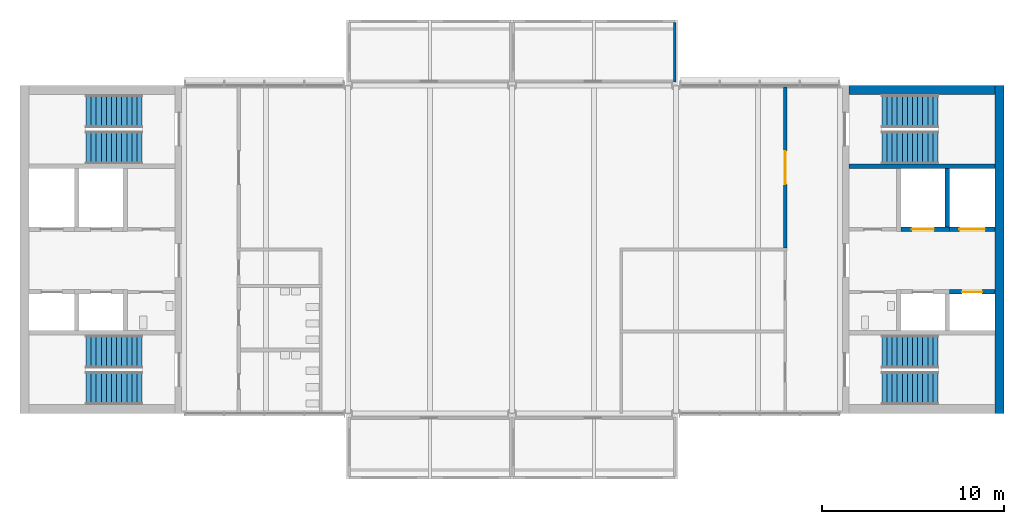
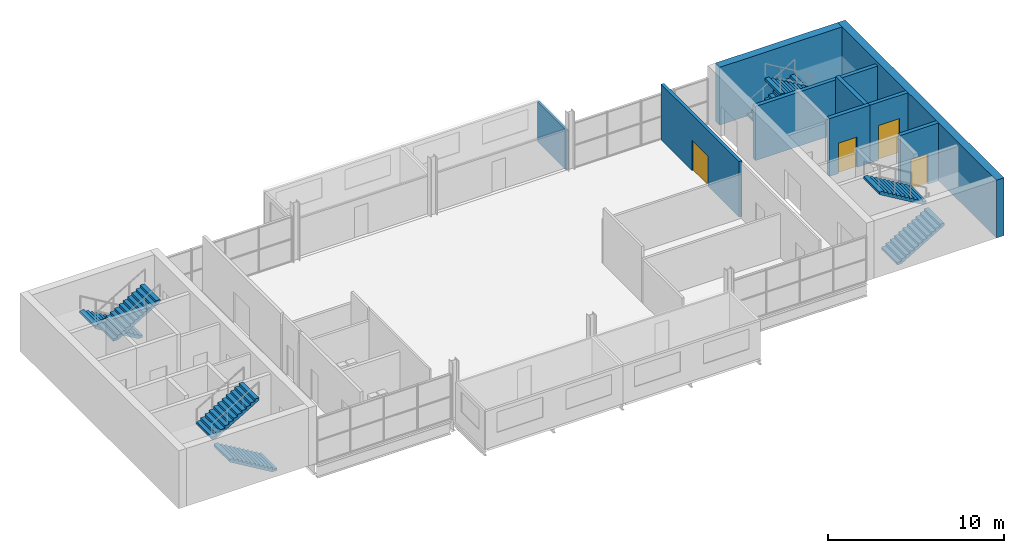
# One storey, part 7 of 10: 9 walls, 8 stair flights, 4 doors, 4 openings, 4 elements without a shape of their own.
"""IFC4 building model written with IfcOpenShell, lengths in metres."""

from ifc_helpers import new_model, si_unit, direction, frame, frame_2d, origin, place, context, subcontext, project, spatial, polyline, rectangle, outline, extrude, material, layer, layer_set, type_object, element, fill, aggregate, save


model = new_model("IFC4")

# Units and contexts
model_context = context("Model", 3, precision=1e-05, world=origin(), true_north=direction((0.0, 1.0)))
body_context = subcontext(model_context, "Body", "Model", "MODEL_VIEW")
ifc_project = project(units=[si_unit("LENGTHUNIT", "METRE"), si_unit("AREAUNIT", "SQUARE_METRE"), si_unit("VOLUMEUNIT", "CUBIC_METRE"), si_unit("PLANEANGLEUNIT", "RADIAN"), si_unit("MASSUNIT", "GRAM", prefix="KILO")], contexts=[model_context])

# Site, building, storey
site_placement = place(None, origin())
site = spatial("IfcSite", under=ifc_project, at=site_placement, CompositionType="ELEMENT")
building_placement = place(site_placement, origin())
building = spatial("IfcBuilding", under=site, at=building_placement, Name="Corbel Yard City Hall", CompositionType="ELEMENT")
storey_placement = place(building_placement, frame((0.0, 0.0, 27.199951171875)))
storey = spatial("IfcBuildingStorey", under=building, at=storey_placement, Name="L06", CompositionType="ELEMENT", Elevation=27.199951171875)

# Wall
ifc_material_1 = material(Name="Concrete N40 (40 MPa)", Category="concrete")
ifc_layer_1 = layer(ifc_material_1, 0.25)
ifc_layer_set_1 = layer_set([ifc_layer_1], Name="Concrete N40 (40 MPa)")
wall_type_1 = type_object("IfcWallType", Name="IW2", PredefinedType="SOLIDWALL", material=ifc_layer_set_1)
wall_1_placement = place(storey_placement, frame((45.5, 112.574951171875, 0.0), z_axis=(0.0, 0.0, 1.0), x_axis=(1.0, 0.0, 0.0)))
element("IfcWall", 1, at=wall_1_placement, inside=storey, type_object=wall_type_1, Name="Stair enclosure wall", PredefinedType="SOLIDWALL", context=body_context, shape_type="SweptSolid", body=[
    extrude(rectangle(XDim=8.0, YDim=0.25, at=frame_2d((4.0, 0.0))), origin(), (0.0, 0.0, 1.0), 3.75),
])

# Wall, opening, door
wall_2_placement = place(storey_placement, frame((51.0, 105.675048828125, 0.0), z_axis=(0.0, 0.0, 1.0), x_axis=(1.0, 0.0, 0.0)))
wall_2 = element("IfcWall", 2, at=wall_2_placement, inside=storey, type_object=wall_type_1, Name="Lift LP26 shaft wall", PredefinedType="SOLIDWALL", context=body_context, shape_type="SweptSolid", body=[
    extrude(rectangle(XDim=2.5, YDim=0.25, at=frame_2d((1.25, 0.0))), origin(), (0.0, 0.0, 1.0), 4.0),
])
opening_1_placement = place(wall_2_placement, frame((0.699951171875, 0.0, 0.0)))
opening_1 = element("IfcOpeningElement", 3, at=opening_1_placement, cuts=wall_2, Name="Opening T1-010", PredefinedType="OPENING", context=body_context, shape_type="SweptSolid", body=[
    extrude(rectangle(XDim=1.10009765625, YDim=2.10009765625, at=frame_2d((0.550048828125, 1.050048828125))), frame((0.0, 0.135009765625, 0.0), z_axis=(0.0, -1.0, 0.0), x_axis=(1.0, 0.0, 0.0)), (0.0, 0.0, 1.0), 0.27001953125),
])
ifc_material_2 = material(Name="Stainless steel Grade 316", Category="steel")
door_type_1 = type_object("IfcDoorType", Name="LD1", OperationType="DOUBLE_DOOR_SLIDING", PredefinedType="DOOR", material=ifc_material_2)
door_1_placement = place(opening_1_placement, origin())
door_1 = element("IfcDoor", 4, at=door_1_placement, inside=storey, type_object=door_type_1, Name="Lift LP26 landing door", OperationType="DOUBLE_DOOR_SLIDING", OverallHeight=2.10009765625, OverallWidth=1.10009765625, PredefinedType="DOOR", context=body_context, shape_type="SweptSolid", body=[
    extrude(rectangle(XDim=1.10009765625, YDim=2.10009765625, at=frame_2d((0.550048828125, 1.050048828125))), frame((0.0, 0.02490234375, 0.0), z_axis=(0.0, -1.0, 0.0), x_axis=(1.0, 0.0, 0.0)), (0.0, 0.0, 1.0), 0.050048828125),
])
fill(opening_1, door_1)

# Wall
wall_3_placement = place(storey_placement, frame((50.875, 109.25, 0.0), z_axis=(0.0, 0.0, 1.0), x_axis=(0.0, 1.0, 0.0)))
element("IfcWall", 5, at=wall_3_placement, inside=storey, type_object=wall_type_1, Name="Lift LF2 shaft wall", PredefinedType="SOLIDWALL", context=body_context, shape_type="SweptSolid", body=[
    extrude(rectangle(XDim=3.199951171875, YDim=0.25, at=frame_2d((1.60009765625, 0.0))), origin(), (0.0, 0.0, 1.0), 4.0),
])

# Wall, opening, door
wall_4_placement = place(storey_placement, frame((48.35009765625, 109.125, 0.0), z_axis=(0.0, 0.0, 1.0), x_axis=(1.0, 0.0, 0.0)))
wall_4 = element("IfcWall", 6, at=wall_4_placement, inside=storey, type_object=wall_type_1, Name="Lift LF2 shaft wall", PredefinedType="SOLIDWALL", context=body_context, shape_type="SweptSolid", body=[
    extrude(rectangle(XDim=2.64990234375, YDim=0.25, at=frame_2d((1.324951171875, 0.0))), origin(), (0.0, 0.0, 1.0), 4.0),
])
opening_2_placement = place(wall_4_placement, frame((0.60009765625, 0.0, 0.0)))
opening_2 = element("IfcOpeningElement", 7, at=opening_2_placement, cuts=wall_4, Name="Opening T1-011", PredefinedType="OPENING", context=body_context, shape_type="SweptSolid", body=[
    extrude(rectangle(XDim=1.199951171875, YDim=2.10009765625, at=frame_2d((0.60009765625, 1.050048828125))), frame((0.0, 0.135009765625, 0.0), z_axis=(0.0, -1.0, 0.0), x_axis=(1.0, 0.0, 0.0)), (0.0, 0.0, 1.0), 0.27001953125),
])
door_type_2 = type_object("IfcDoorType", Name="LD2", OperationType="DOUBLE_DOOR_SLIDING", PredefinedType="DOOR", material=ifc_material_2)
door_2_placement = place(opening_2_placement, origin())
door_2 = element("IfcDoor", 8, at=door_2_placement, inside=storey, type_object=door_type_2, Name="Lift LF2 landing door", OperationType="DOUBLE_DOOR_SLIDING", OverallHeight=2.10009765625, OverallWidth=1.199951171875, PredefinedType="DOOR", context=body_context, shape_type="SweptSolid", body=[
    extrude(rectangle(XDim=1.199951171875, YDim=2.10009765625, at=frame_2d((0.60009765625, 1.050048828125))), frame((0.0, 0.02490234375, 0.0), z_axis=(0.0, -1.0, 0.0), x_axis=(1.0, 0.0, 0.0)), (0.0, 0.0, 1.0), 0.050048828125),
])
fill(opening_2, door_2)

wall_5_placement = place(storey_placement, frame((51.0, 109.125, 0.0), z_axis=(0.0, 0.0, 1.0), x_axis=(1.0, 0.0, 0.0)))
wall_5 = element("IfcWall", 9, at=wall_5_placement, inside=storey, type_object=wall_type_1, Name="Lift LG1 shaft wall", PredefinedType="SOLIDWALL", context=body_context, shape_type="SweptSolid", body=[
    extrude(rectangle(XDim=2.5, YDim=0.25, at=frame_2d((1.25, 0.0))), origin(), (0.0, 0.0, 1.0), 4.0),
])
opening_3_placement = place(wall_5_placement, frame((0.550048828125, 0.0, 0.0)))
opening_3 = element("IfcOpeningElement", 10, at=opening_3_placement, cuts=wall_5, Name="Opening T1-012", PredefinedType="OPENING", context=body_context, shape_type="SweptSolid", body=[
    extrude(rectangle(XDim=1.39990234375, YDim=2.39990234375, at=frame_2d((0.699951171875, 1.199951171875))), frame((0.0, 0.135009765625, 0.0), z_axis=(0.0, -1.0, 0.0), x_axis=(1.0, 0.0, 0.0)), (0.0, 0.0, 1.0), 0.27001953125),
])
door_type_3 = type_object("IfcDoorType", Name="LD3", OperationType="DOUBLE_DOOR_SLIDING", PredefinedType="DOOR", material=ifc_material_2)
door_3_placement = place(opening_3_placement, origin())
door_3 = element("IfcDoor", 11, at=door_3_placement, inside=storey, type_object=door_type_3, Name="Lift LG1 landing door", OperationType="DOUBLE_DOOR_SLIDING", OverallHeight=2.39990234375, OverallWidth=1.39990234375, PredefinedType="DOOR", context=body_context, shape_type="SweptSolid", body=[
    extrude(rectangle(XDim=1.39990234375, YDim=2.39990234375, at=frame_2d((0.699951171875, 1.199951171875))), frame((0.0, 0.02490234375, 0.0), z_axis=(0.0, -1.0, 0.0), x_axis=(1.0, 0.0, 0.0)), (0.0, 0.0, 1.0), 0.050048828125),
])
fill(opening_3, door_3)

# Wall
ifc_material_3 = material(Name="Anodised aluminium", Category="aluminium")
ifc_layer_2 = layer(ifc_material_3, 0.02392578125)
ifc_material_4 = material(Name="Steel Grade G550 (550 MPa yield)", Category="steel")
ifc_layer_3 = layer(ifc_material_4, 0.10009765625)
ifc_material_5 = material(Name="Gypsum plasterboard", Category="gypsum")
ifc_layer_4 = layer(ifc_material_5, 0.02587890625)
ifc_layer_set_2 = layer_set([ifc_layer_2, ifc_layer_3, ifc_layer_4], Name="Steel Grade G550 (550 MPa yield)")
wall_type_2 = type_object("IfcWallType", Name="PD3", PredefinedType="SOLIDWALL", material=ifc_layer_set_2)
wall_6_placement = place(storey_placement, frame((35.925048828125, 120.449951171875, -0.14990234375), z_axis=(0.0, 0.0, 1.0), x_axis=(0.0, -1.0, 0.0)))
element("IfcWall", 12, at=wall_6_placement, inside=storey, type_object=wall_type_2, Name="Pod side wall L06", PredefinedType="SOLIDWALL", context=body_context, shape_type="SweptSolid", body=[
    extrude(rectangle(XDim=3.25, YDim=0.14990234375, at=frame_2d((1.625, 0.0))), origin(), (0.0, 0.0, 1.0), 2.75),
])

# Wall, opening, door
ifc_layer_5 = layer(ifc_material_5, 0.031982421875)
ifc_layer_6 = layer(ifc_material_4, 0.135986328125)
ifc_layer_7 = layer(ifc_material_5, 0.031982421875)
ifc_layer_set_3 = layer_set([ifc_layer_5, ifc_layer_6, ifc_layer_7], Name="Steel Grade G550 (550 MPa yield)")
wall_type_3 = type_object("IfcWallType", Name="PT2", PredefinedType="PARTITIONING", material=ifc_layer_set_3)
wall_7_placement = place(storey_placement, frame((42.0, 108.074951171875, 0.0), z_axis=(0.0, 0.0, 1.0), x_axis=(0.0, 1.0, 0.0)))
wall_7 = element("IfcWall", 13, at=wall_7_placement, inside=storey, type_object=wall_type_3, Name="Acoustic wall", PredefinedType="PARTITIONING", context=body_context, shape_type="SweptSolid", body=[
    extrude(rectangle(XDim=8.8349609375, YDim=0.199951171875, at=frame_2d((4.41748046875, 0.0))), origin(), (0.0, 0.0, 1.0), 3.85009765625),
])
opening_4_placement = place(wall_7_placement, frame((3.52490234375, 0.0, 0.0)))
opening_4 = element("IfcOpeningElement", 14, at=opening_4_placement, cuts=wall_7, Name="Opening T1-017", PredefinedType="OPENING", context=body_context, shape_type="SweptSolid", body=[
    extrude(rectangle(XDim=1.800048828125, YDim=2.10009765625, at=frame_2d((0.89990234375, 1.050048828125))), frame((0.0, 0.10986328125, 0.0), z_axis=(0.0, -1.0, 0.0), x_axis=(1.0, 0.0, 0.0)), (0.0, 0.0, 1.0), 0.219970703125),
])
ifc_material_6 = material(Name="Timber", Category="wood")
door_type_4 = type_object("IfcDoorType", Name="D3", OperationType="DOUBLE_DOOR_SINGLE_SWING", PredefinedType="DOOR", material=ifc_material_6)
door_4_placement = place(opening_4_placement, origin())
door_4 = element("IfcDoor", 15, at=door_4_placement, inside=storey, type_object=door_type_4, Name="Door Open Office 0606", OperationType="DOUBLE_DOOR_SINGLE_SWING", OverallHeight=2.10009765625, OverallWidth=1.800048828125, PredefinedType="DOOR", context=body_context, shape_type="SweptSolid", body=[
    extrude(rectangle(XDim=1.800048828125, YDim=2.10009765625, at=frame_2d((0.89990234375, 1.050048828125))), frame((0.0, 0.02490234375, 0.0), z_axis=(0.0, -1.0, 0.0), x_axis=(1.0, 0.0, 0.0)), (0.0, 0.0, 1.0), 0.050048828125),
])
fill(opening_4, door_4)

# Walls
ifc_material_7 = material(Name="Concrete N50 (50 MPa)", Category="concrete")
ifc_layer_8 = layer(ifc_material_7, 0.5)
ifc_layer_set_4 = layer_set([ifc_layer_8], Name="Concrete N50 (50 MPa)")
wall_type_4 = type_object("IfcWallType", Name="Trunk wall 500", PredefinedType="SHEAR", material=ifc_layer_set_4)
wall_8_placement = place(storey_placement, frame((53.75, 99.0, 0.0), z_axis=(0.0, 0.0, 1.0), x_axis=(0.0, 1.0, 0.0)))
element("IfcWall", 16, at=wall_8_placement, inside=storey, type_object=wall_type_4, Name="Trunk E east wall", PredefinedType="SHEAR", context=body_context, shape_type="SweptSolid", body=[
    extrude(rectangle(XDim=18.0, YDim=0.5, at=frame_2d((9.0, 0.0))), origin(), (0.0, 0.0, 1.0), 4.0),
])
wall_9_placement = place(storey_placement, frame((45.5, 116.75, 0.0), z_axis=(0.0, 0.0, 1.0), x_axis=(1.0, 0.0, 0.0)))
element("IfcWall", 17, at=wall_9_placement, inside=storey, type_object=wall_type_4, Name="Trunk E north wall", PredefinedType="SHEAR", context=body_context, shape_type="SweptSolid", body=[
    extrude(rectangle(XDim=8.0, YDim=0.5, at=frame_2d((4.0, 0.0))), origin(), (0.0, 0.0, 1.0), 4.0),
])

# Stair, stair flights
stair_type = type_object("IfcStairType", Name="ST4", PredefinedType="HALF_TURN_STAIR", material=ifc_material_1)
stair_1_placement = place(storey_placement, origin())
stair_1 = element("IfcStair", 18, at=stair_1_placement, inside=storey, type_object=stair_type, Name="Exit stair ST-W1 L06", PredefinedType="HALF_TURN_STAIR")
stair_flight_type = type_object("IfcStairFlightType", Name="FL4", PredefinedType="STRAIGHT", material=ifc_material_1)
stair_flight_1_placement = place(storey_placement, frame((6.699951171875, 100.39990234375, 0.0), z_axis=(0.0, 0.0, 1.0), x_axis=(-1.0, 0.0, 0.0)))
stair_flight_1 = element("IfcStairFlight", 19, at=stair_flight_1_placement, type_object=stair_flight_type, Name="ST-W1 flight 1", NumberOfRisers=12, NumberOfTreads=11, PredefinedType="STRAIGHT", RiserHeight=0.166667, TreadLength=0.28, context=body_context, shape_type="SweptSolid", body=[
    extrude(outline(polyline([(0.0, 0.0), (0.0, 0.166748046875), (0.280029296875, 0.166748046875), (0.280029296875, 0.333251953125), (0.56005859375, 0.333251953125), (0.56005859375, 0.5), (0.840087890625, 0.5), (0.840087890625, 0.666748046875), (1.1201171875, 0.666748046875), (1.1201171875, 0.833251953125), (1.39990234375, 0.833251953125), (1.39990234375, 1.0), (1.679931640625, 1.0), (1.679931640625, 1.166748046875), (1.9599609375, 1.166748046875), (1.9599609375, 1.333251953125), (2.239990234375, 1.333251953125), (2.239990234375, 1.5), (2.52001953125, 1.5), (2.52001953125, 1.666748046875), (2.800048828125, 1.666748046875), (2.800048828125, 1.833251953125), (3.080078125, 1.833251953125), (3.080078125, 2.0), (3.080078125, 1.658935546875), (0.29296875, 0.0), (0.0, 0.0)])), frame((0.0, 0.89990234375, 0.0), z_axis=(0.0, -1.0, 0.0), x_axis=(1.0, 0.0, 0.0)), (0.0, 0.0, 1.0), 1.800048828125),
])
stair_flight_2_placement = place(storey_placement, frame((3.6201171875, 102.39990234375, 2.0), z_axis=(0.0, 0.0, 1.0), x_axis=(1.0, 0.0, 0.0)))
stair_flight_2 = element("IfcStairFlight", 20, at=stair_flight_2_placement, type_object=stair_flight_type, Name="ST-W1 flight 2", NumberOfRisers=12, NumberOfTreads=11, PredefinedType="STRAIGHT", RiserHeight=0.166667, TreadLength=0.28, context=body_context, shape_type="SweptSolid", body=[
    extrude(outline(polyline([(0.0, 0.0), (0.0, 0.166748046875), (0.280029296875, 0.166748046875), (0.280029296875, 0.333251953125), (0.56005859375, 0.333251953125), (0.56005859375, 0.5), (0.840087890625, 0.5), (0.840087890625, 0.666748046875), (1.1201171875, 0.666748046875), (1.1201171875, 0.833251953125), (1.39990234375, 0.833251953125), (1.39990234375, 1.0), (1.679931640625, 1.0), (1.679931640625, 1.166748046875), (1.9599609375, 1.166748046875), (1.9599609375, 1.333251953125), (2.239990234375, 1.333251953125), (2.239990234375, 1.5), (2.52001953125, 1.5), (2.52001953125, 1.666748046875), (2.800048828125, 1.666748046875), (2.800048828125, 1.833251953125), (3.080078125, 1.833251953125), (3.080078125, 2.0), (3.080078125, 1.658935546875), (0.29296875, 0.0), (0.0, 0.0)])), frame((0.0, 0.89990234375, 0.0), z_axis=(0.0, -1.0, 0.0), x_axis=(1.0, 0.0, 0.0)), (0.0, 0.0, 1.0), 1.800048828125),
])
aggregate(stair_1, [stair_flight_1, stair_flight_2])

stair_2_placement = place(storey_placement, origin())
stair_2 = element("IfcStair", 21, at=stair_2_placement, inside=storey, type_object=stair_type, Name="Exit stair ST-W2 L06", PredefinedType="HALF_TURN_STAIR")
stair_flight_3_placement = place(storey_placement, frame((6.699951171875, 115.60009765625, 0.0), z_axis=(0.0, 0.0, 1.0), x_axis=(-1.0, 0.0, 0.0)))
stair_flight_3 = element("IfcStairFlight", 22, at=stair_flight_3_placement, type_object=stair_flight_type, Name="ST-W2 flight 1", NumberOfRisers=12, NumberOfTreads=11, PredefinedType="STRAIGHT", RiserHeight=0.166667, TreadLength=0.28, context=body_context, shape_type="SweptSolid", body=[
    extrude(outline(polyline([(0.0, 0.0), (0.0, 0.166748046875), (0.280029296875, 0.166748046875), (0.280029296875, 0.333251953125), (0.56005859375, 0.333251953125), (0.56005859375, 0.5), (0.840087890625, 0.5), (0.840087890625, 0.666748046875), (1.1201171875, 0.666748046875), (1.1201171875, 0.833251953125), (1.39990234375, 0.833251953125), (1.39990234375, 1.0), (1.679931640625, 1.0), (1.679931640625, 1.166748046875), (1.9599609375, 1.166748046875), (1.9599609375, 1.333251953125), (2.239990234375, 1.333251953125), (2.239990234375, 1.5), (2.52001953125, 1.5), (2.52001953125, 1.666748046875), (2.800048828125, 1.666748046875), (2.800048828125, 1.833251953125), (3.080078125, 1.833251953125), (3.080078125, 2.0), (3.080078125, 1.658935546875), (0.29296875, 0.0), (0.0, 0.0)])), frame((0.0, 0.89990234375, 0.0), z_axis=(0.0, -1.0, 0.0), x_axis=(1.0, 0.0, 0.0)), (0.0, 0.0, 1.0), 1.800048828125),
])
stair_flight_4_placement = place(storey_placement, frame((3.6201171875, 113.60009765625, 2.0), z_axis=(0.0, 0.0, 1.0), x_axis=(1.0, 0.0, 0.0)))
stair_flight_4 = element("IfcStairFlight", 23, at=stair_flight_4_placement, type_object=stair_flight_type, Name="ST-W2 flight 2", NumberOfRisers=12, NumberOfTreads=11, PredefinedType="STRAIGHT", RiserHeight=0.166667, TreadLength=0.28, context=body_context, shape_type="SweptSolid", body=[
    extrude(outline(polyline([(0.0, 0.0), (0.0, 0.166748046875), (0.280029296875, 0.166748046875), (0.280029296875, 0.333251953125), (0.56005859375, 0.333251953125), (0.56005859375, 0.5), (0.840087890625, 0.5), (0.840087890625, 0.666748046875), (1.1201171875, 0.666748046875), (1.1201171875, 0.833251953125), (1.39990234375, 0.833251953125), (1.39990234375, 1.0), (1.679931640625, 1.0), (1.679931640625, 1.166748046875), (1.9599609375, 1.166748046875), (1.9599609375, 1.333251953125), (2.239990234375, 1.333251953125), (2.239990234375, 1.5), (2.52001953125, 1.5), (2.52001953125, 1.666748046875), (2.800048828125, 1.666748046875), (2.800048828125, 1.833251953125), (3.080078125, 1.833251953125), (3.080078125, 2.0), (3.080078125, 1.658935546875), (0.29296875, 0.0), (0.0, 0.0)])), frame((0.0, 0.89990234375, 0.0), z_axis=(0.0, -1.0, 0.0), x_axis=(1.0, 0.0, 0.0)), (0.0, 0.0, 1.0), 1.800048828125),
])
aggregate(stair_2, [stair_flight_3, stair_flight_4])

stair_3_placement = place(storey_placement, origin())
stair_3 = element("IfcStair", 24, at=stair_3_placement, inside=storey, type_object=stair_type, Name="Exit stair ST-E1 L06", PredefinedType="HALF_TURN_STAIR")
stair_flight_5_placement = place(storey_placement, frame((47.300048828125, 100.39990234375, 0.0), z_axis=(0.0, 0.0, 1.0), x_axis=(1.0, 0.0, 0.0)))
stair_flight_5 = element("IfcStairFlight", 25, at=stair_flight_5_placement, type_object=stair_flight_type, Name="ST-E1 flight 1", NumberOfRisers=12, NumberOfTreads=11, PredefinedType="STRAIGHT", RiserHeight=0.166667, TreadLength=0.28, context=body_context, shape_type="SweptSolid", body=[
    extrude(outline(polyline([(0.0, 0.0), (0.0, 0.166748046875), (0.280029296875, 0.166748046875), (0.280029296875, 0.333251953125), (0.56005859375, 0.333251953125), (0.56005859375, 0.5), (0.840087890625, 0.5), (0.840087890625, 0.666748046875), (1.1201171875, 0.666748046875), (1.1201171875, 0.833251953125), (1.39990234375, 0.833251953125), (1.39990234375, 1.0), (1.679931640625, 1.0), (1.679931640625, 1.166748046875), (1.9599609375, 1.166748046875), (1.9599609375, 1.333251953125), (2.239990234375, 1.333251953125), (2.239990234375, 1.5), (2.52001953125, 1.5), (2.52001953125, 1.666748046875), (2.800048828125, 1.666748046875), (2.800048828125, 1.833251953125), (3.080078125, 1.833251953125), (3.080078125, 2.0), (3.080078125, 1.658935546875), (0.29296875, 0.0), (0.0, 0.0)])), frame((0.0, 0.89990234375, 0.0), z_axis=(0.0, -1.0, 0.0), x_axis=(1.0, 0.0, 0.0)), (0.0, 0.0, 1.0), 1.800048828125),
])
stair_flight_6_placement = place(storey_placement, frame((50.3798828125, 102.39990234375, 2.0), z_axis=(0.0, 0.0, 1.0), x_axis=(-1.0, 0.0, 0.0)))
stair_flight_6 = element("IfcStairFlight", 26, at=stair_flight_6_placement, type_object=stair_flight_type, Name="ST-E1 flight 2", NumberOfRisers=12, NumberOfTreads=11, PredefinedType="STRAIGHT", RiserHeight=0.166667, TreadLength=0.28, context=body_context, shape_type="SweptSolid", body=[
    extrude(outline(polyline([(0.0, 0.0), (0.0, 0.166748046875), (0.280029296875, 0.166748046875), (0.280029296875, 0.333251953125), (0.56005859375, 0.333251953125), (0.56005859375, 0.5), (0.840087890625, 0.5), (0.840087890625, 0.666748046875), (1.1201171875, 0.666748046875), (1.1201171875, 0.833251953125), (1.39990234375, 0.833251953125), (1.39990234375, 1.0), (1.679931640625, 1.0), (1.679931640625, 1.166748046875), (1.9599609375, 1.166748046875), (1.9599609375, 1.333251953125), (2.239990234375, 1.333251953125), (2.239990234375, 1.5), (2.52001953125, 1.5), (2.52001953125, 1.666748046875), (2.800048828125, 1.666748046875), (2.800048828125, 1.833251953125), (3.080078125, 1.833251953125), (3.080078125, 2.0), (3.080078125, 1.658935546875), (0.29296875, 0.0), (0.0, 0.0)])), frame((0.0, 0.89990234375, 0.0), z_axis=(0.0, -1.0, 0.0), x_axis=(1.0, 0.0, 0.0)), (0.0, 0.0, 1.0), 1.800048828125),
])
aggregate(stair_3, [stair_flight_5, stair_flight_6])

stair_4_placement = place(storey_placement, origin())
stair_4 = element("IfcStair", 27, at=stair_4_placement, inside=storey, type_object=stair_type, Name="Exit stair ST-E2 L06", PredefinedType="HALF_TURN_STAIR")
stair_flight_7_placement = place(storey_placement, frame((47.300048828125, 115.60009765625, 0.0), z_axis=(0.0, 0.0, 1.0), x_axis=(1.0, 0.0, 0.0)))
stair_flight_7 = element("IfcStairFlight", 28, at=stair_flight_7_placement, type_object=stair_flight_type, Name="ST-E2 flight 1", NumberOfRisers=12, NumberOfTreads=11, PredefinedType="STRAIGHT", RiserHeight=0.166667, TreadLength=0.28, context=body_context, shape_type="SweptSolid", body=[
    extrude(outline(polyline([(0.0, 0.0), (0.0, 0.166748046875), (0.280029296875, 0.166748046875), (0.280029296875, 0.333251953125), (0.56005859375, 0.333251953125), (0.56005859375, 0.5), (0.840087890625, 0.5), (0.840087890625, 0.666748046875), (1.1201171875, 0.666748046875), (1.1201171875, 0.833251953125), (1.39990234375, 0.833251953125), (1.39990234375, 1.0), (1.679931640625, 1.0), (1.679931640625, 1.166748046875), (1.9599609375, 1.166748046875), (1.9599609375, 1.333251953125), (2.239990234375, 1.333251953125), (2.239990234375, 1.5), (2.52001953125, 1.5), (2.52001953125, 1.666748046875), (2.800048828125, 1.666748046875), (2.800048828125, 1.833251953125), (3.080078125, 1.833251953125), (3.080078125, 2.0), (3.080078125, 1.658935546875), (0.29296875, 0.0), (0.0, 0.0)])), frame((0.0, 0.89990234375, 0.0), z_axis=(0.0, -1.0, 0.0), x_axis=(1.0, 0.0, 0.0)), (0.0, 0.0, 1.0), 1.800048828125),
])
stair_flight_8_placement = place(storey_placement, frame((50.3798828125, 113.60009765625, 2.0), z_axis=(0.0, 0.0, 1.0), x_axis=(-1.0, 0.0, 0.0)))
stair_flight_8 = element("IfcStairFlight", 29, at=stair_flight_8_placement, type_object=stair_flight_type, Name="ST-E2 flight 2", NumberOfRisers=12, NumberOfTreads=11, PredefinedType="STRAIGHT", RiserHeight=0.166667, TreadLength=0.28, context=body_context, shape_type="SweptSolid", body=[
    extrude(outline(polyline([(0.0, 0.0), (0.0, 0.166748046875), (0.280029296875, 0.166748046875), (0.280029296875, 0.333251953125), (0.56005859375, 0.333251953125), (0.56005859375, 0.5), (0.840087890625, 0.5), (0.840087890625, 0.666748046875), (1.1201171875, 0.666748046875), (1.1201171875, 0.833251953125), (1.39990234375, 0.833251953125), (1.39990234375, 1.0), (1.679931640625, 1.0), (1.679931640625, 1.166748046875), (1.9599609375, 1.166748046875), (1.9599609375, 1.333251953125), (2.239990234375, 1.333251953125), (2.239990234375, 1.5), (2.52001953125, 1.5), (2.52001953125, 1.666748046875), (2.800048828125, 1.666748046875), (2.800048828125, 1.833251953125), (3.080078125, 1.833251953125), (3.080078125, 2.0), (3.080078125, 1.658935546875), (0.29296875, 0.0), (0.0, 0.0)])), frame((0.0, 0.89990234375, 0.0), z_axis=(0.0, -1.0, 0.0), x_axis=(1.0, 0.0, 0.0)), (0.0, 0.0, 1.0), 1.800048828125),
])
aggregate(stair_4, [stair_flight_7, stair_flight_8])

save(model, "model.ifc")
